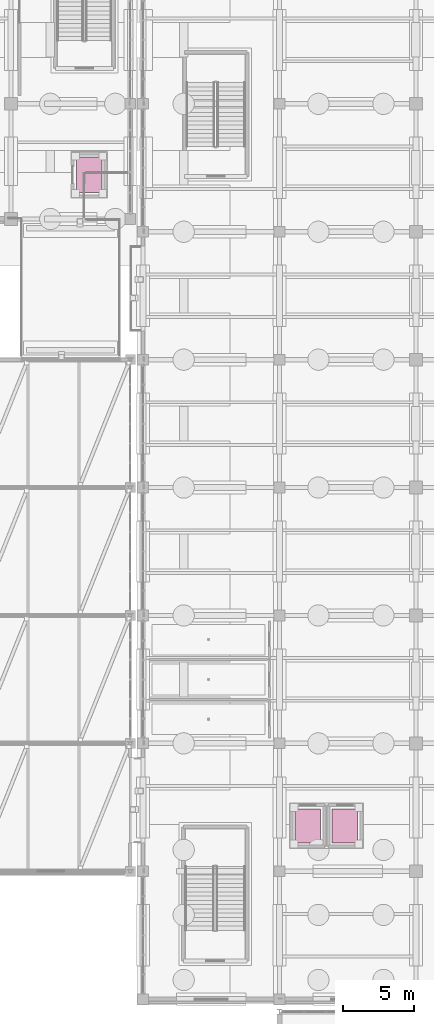
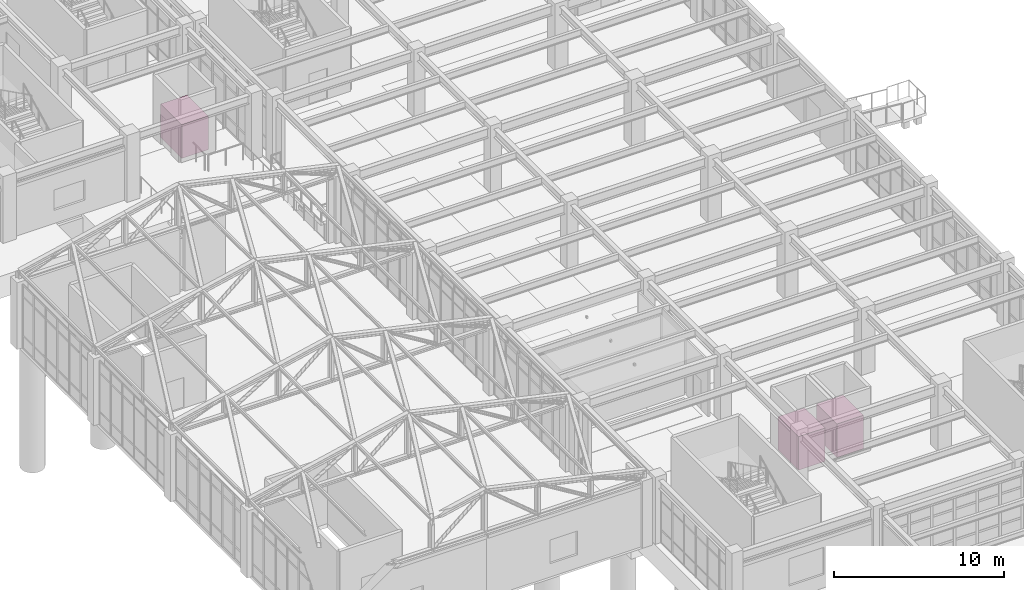
# One storey, part 139 of 139: 3 transport elements.
"""IFC4 building model written with IfcOpenShell, lengths in metres."""

from ifc_helpers import new_model, si_unit, direction, frame, origin, origin_2d, place, context, subcontext, project, spatial, rectangle, extrude, material, type_object, element, save


model = new_model("IFC4")

# Units and contexts
model_context = context("Model", 3, precision=1e-05, world=origin(), true_north=direction((0.0, 1.0)))
body_context = subcontext(model_context, "Body", "Model", "MODEL_VIEW")
ifc_project = project(units=[si_unit("LENGTHUNIT", "METRE"), si_unit("AREAUNIT", "SQUARE_METRE"), si_unit("VOLUMEUNIT", "CUBIC_METRE"), si_unit("PLANEANGLEUNIT", "RADIAN"), si_unit("MASSUNIT", "GRAM", prefix="KILO")], contexts=[model_context])

# Site, building, storey
site_placement = place(None, origin())
site = spatial("IfcSite", under=ifc_project, at=site_placement, CompositionType="ELEMENT")
building_placement = place(site_placement, origin())
building = spatial("IfcBuilding", under=site, at=building_placement, Name="Canglan Escarpment Cableway Terminal", CompositionType="ELEMENT")
storey_placement = place(building_placement, frame((0.0, 0.0, 14.39990234375)))
storey = spatial("IfcBuildingStorey", under=building, at=storey_placement, Name="L03", CompositionType="ELEMENT", Elevation=14.39990234375)

# Transport elements
ifc_material = material(Name="Brushed stainless steel passenger lift car", Category="steel")
transport_element_type_1 = type_object("IfcTransportElementType", Name="LFT-FIRE-1800x2500", PredefinedType="ELEVATOR", material=ifc_material)
transport_element_placement = place(storey_placement, frame((133.800048828125, 92.0, 0.000244140625), z_axis=(0.0, 0.0, 1.0), x_axis=(1.0, 0.0, 0.0)))
element("IfcTransportElement", 1, at=transport_element_placement, inside=storey, type_object=transport_element_type_1, Name="Firefighting and stretcher elevator LF-08", PredefinedType="ELEVATOR", context=body_context, shape_type="SweptSolid", body=[
    extrude(rectangle(XDim=1.800048828125, YDim=2.5, at=origin_2d()), origin(), (0.0, 0.0, 1.0), 2.39990234375),
])
transport_element_type_2 = type_object("IfcTransportElementType", Name="LFT-PASS-1800x2400", PredefinedType="ELEVATOR", material=ifc_material)
for number, where, z_axis, x_axis, name in (
    (2, (149.199951171875, 46.199951171875, 0.000244140625), (0.0, 0.0, 1.0), (1.0, 0.0, 0.0), "Passenger elevator LF-03"),
    (3, (151.800048828125, 46.199951171875, 0.000244140625), (0.0, 0.0, 1.0), (1.0, 0.0, 0.0), "Passenger elevator LF-04"),
):
    element("IfcTransportElement", number, at=place(storey_placement, frame(where, z_axis=z_axis, x_axis=x_axis)), inside=storey, type_object=transport_element_type_2, Name=name, PredefinedType="ELEVATOR", context=body_context, shape_type="SweptSolid", body=[
        extrude(rectangle(XDim=1.800048828125, YDim=2.39990234375, at=origin_2d()), origin(), (0.0, 0.0, 1.0), 2.39990234375),
    ])

save(model, "model.ifc")
